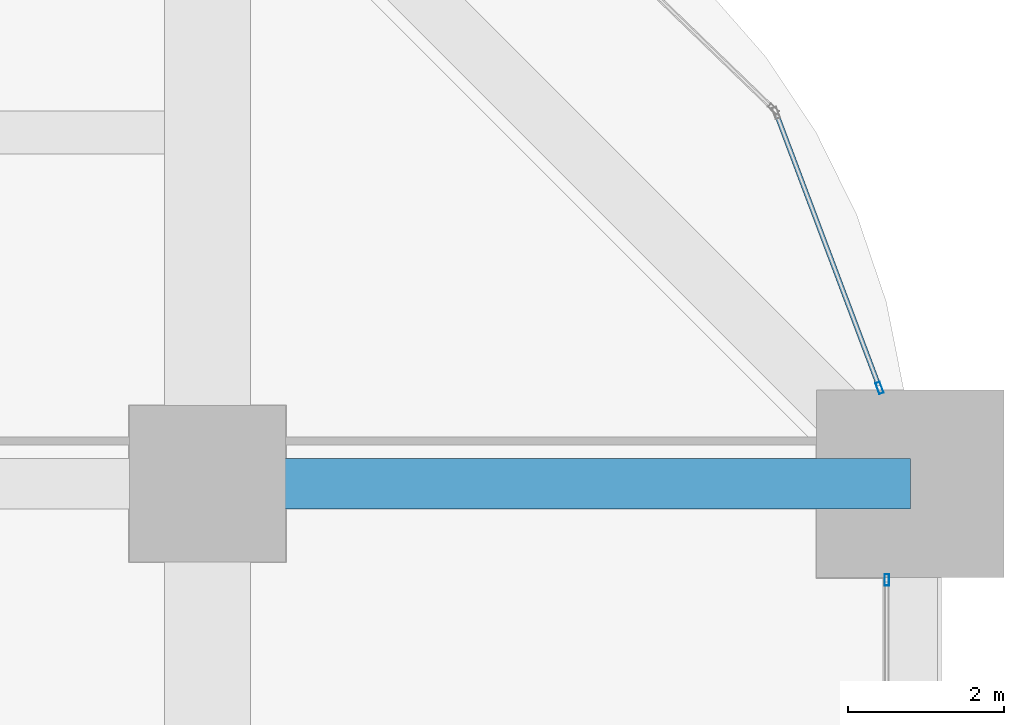
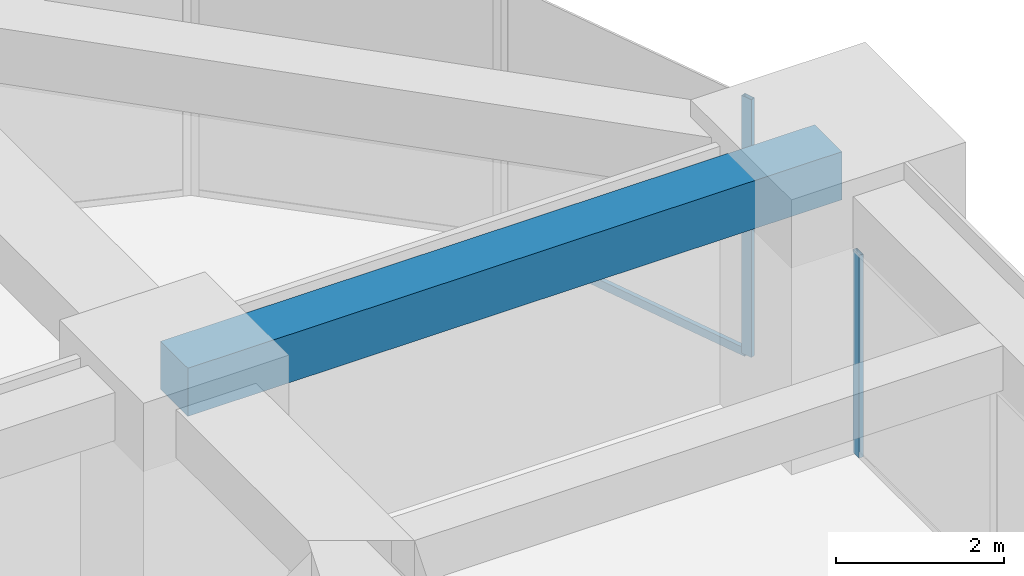
# One storey, part 32 of 39: 3 members, 1 beam, 2 elements without a shape of their own.
"""IFC4 building model written with IfcOpenShell, lengths in metres."""

import ifcopenshell
import ifcopenshell.guid

model = None  # the IFC model being written
_history = None  # IfcOwnerHistory: only IFC2X3 demands one
_inside = {}  # id of a spatial element -> (the spatial element, [elements in it])
_under = {}  # id of a project, library or spatial element -> (it, [spatial elements below it])
_declared = {}  # id of a project -> (the project, [libraries it declares])
_typed = {}  # id of a type object -> (the type object, [elements of that type])
_made_of = {}  # id of a material, layer set ... -> (it, [elements and type objects made of it])


def new_model(schema):
    """Start an empty IFC model of exactly this schema.

    Asked for "IFC4X3", IfcOpenShell would pick the latest addendum, in which some entities
    have other attributes; the version numbers below select the first issue.
    IFC2X3 requires an IfcOwnerHistory on every rooted entity: one is made here for all.
    """
    global model, _history
    if schema == "IFC4X3":
        model = ifcopenshell.file(schema_version=(4, 3, 0, 0))
    else:
        model = ifcopenshell.file(schema=schema)
    _inside.clear()
    _under.clear()
    _declared.clear()
    _typed.clear()
    _made_of.clear()
    _history = None
    if model.schema == "IFC2X3":
        org = make("IfcOrganization", Name="unknown")
        user = make(
            "IfcPersonAndOrganization",
            ThePerson=make("IfcPerson", FamilyName="unknown"),
            TheOrganization=org,
        )
        app = make(
            "IfcApplication",
            ApplicationDeveloper=org,
            Version="unknown",
            ApplicationFullName="unknown",
            ApplicationIdentifier="unknown",
        )
        _history = make(
            "IfcOwnerHistory",
            OwningUser=user,
            OwningApplication=app,
            ChangeAction="ADDED",
            CreationDate=0,
        )
    return model


def make(cls, **values):
    """One entity of the class cls with the attributes given. An attribute that is None is left unset."""
    return model.create_entity(
        cls, **{name: value for name, value in values.items() if value is not None}
    )


def rooted(cls, **values):
    """An entity with a GlobalId (a new one), such as an element, a storey or a relation."""
    return make(cls, GlobalId=ifcopenshell.guid.new(), OwnerHistory=_history, **values)


def si_unit(unit_type, name, prefix=None):
    """IfcSIUnit, for example si_unit("LENGTHUNIT", "METRE", prefix="MILLI")."""
    return make("IfcSIUnit", UnitType=unit_type, Prefix=prefix, Name=name)


def assignment(units):
    """IfcUnitAssignment: the units of a project."""
    return None if units is None else make("IfcUnitAssignment", Units=units)


def point(xyz):
    """IfcCartesianPoint."""
    return None if xyz is None else make("IfcCartesianPoint", Coordinates=xyz)


def direction(xyz):
    """IfcDirection."""
    return None if xyz is None else make("IfcDirection", DirectionRatios=xyz)


def frame(location, z_axis=None, x_axis=None):
    """IfcAxis2Placement3D, a coordinate frame: its origin and axes. An axis left out is left unset."""
    return make(
        "IfcAxis2Placement3D",
        Location=point(location),
        Axis=direction(z_axis),
        RefDirection=direction(x_axis),
    )


def frame_2d(location, x_axis=None):
    """IfcAxis2Placement2D, a coordinate frame in the plane: its origin and x axis."""
    return make(
        "IfcAxis2Placement2D", Location=point(location), RefDirection=direction(x_axis)
    )


def origin():
    """The frame at (0, 0, 0) with its axes left unset."""
    return frame((0.0, 0.0, 0.0))


def origin_2d():
    """The frame at (0, 0) in the plane with its x axis left unset."""
    return frame_2d((0.0, 0.0))


def place(relative_to, where):
    """IfcLocalPlacement: puts the frame where relative to a parent placement (None: the world)."""
    return make(
        "IfcLocalPlacement", PlacementRelTo=relative_to, RelativePlacement=where
    )


def context(
    kind, dimensions, precision=None, world=None, true_north=None, identifier=None
):
    """IfcGeometricRepresentationContext, for example the 3D "Model" context."""
    return make(
        "IfcGeometricRepresentationContext",
        ContextIdentifier=identifier,
        ContextType=kind,
        CoordinateSpaceDimension=dimensions,
        Precision=precision,
        WorldCoordinateSystem=world,
        TrueNorth=true_north,
    )


def subcontext(parent, identifier, kind, view, scale=None):
    """IfcGeometricRepresentationSubContext, for example "Body" below "Model"."""
    return make(
        "IfcGeometricRepresentationSubContext",
        ContextIdentifier=identifier,
        ContextType=kind,
        ParentContext=parent,
        TargetScale=scale,
        TargetView=view,
    )


def project(units=None, contexts=None):
    """IfcProject with its units and contexts."""
    return rooted(
        "IfcProject",
        Name="project",
        RepresentationContexts=contexts,
        UnitsInContext=assignment(units),
    )


def spatial(cls, under=None, at=None, **own):
    """A site, building, storey or space (cls), placed at a placement, below another one or the project."""
    s = rooted(cls, ObjectPlacement=at, **own)
    if under is not None:
        _under.setdefault(under.id(), (under, []))[1].append(s)
    return s


def profile(cls, at=None, kind="AREA", **sizes):
    """A parametric profile (cls). Its sizes go by their IFC names, for example OverallWidth=200.0."""
    return make(cls, ProfileType=kind, Position=at, **sizes)


def rectangle(**sizes):
    """IfcRectangleProfileDef."""
    return profile("IfcRectangleProfileDef", **sizes)


def hollow_rectangle(**sizes):
    """IfcRectangleHollowProfileDef."""
    return profile("IfcRectangleHollowProfileDef", **sizes)


def extrude(swept, where, along, depth):
    """IfcExtrudedAreaSolid: the profile swept, set in the frame where, extruded along a direction by depth."""
    return make(
        "IfcExtrudedAreaSolid",
        SweptArea=swept,
        Position=where,
        ExtrudedDirection=direction(along),
        Depth=depth,
    )


def shape(context_of_items, identifier, shape_type, items):
    """IfcShapeRepresentation: the items that make up one representation, for example the "Body"."""
    return make(
        "IfcShapeRepresentation",
        ContextOfItems=context_of_items,
        RepresentationIdentifier=identifier,
        RepresentationType=shape_type,
        Items=items,
    )


def material(Name=None, Category=None):
    """IfcMaterial."""
    return make("IfcMaterial", Name=Name, Category=Category)


def material_profile(
    of_material, cross_section, Name=None, Category=None, Priority=None
):
    """IfcMaterialProfile: a cross section and its material."""
    return make(
        "IfcMaterialProfile",
        Name=Name,
        Material=of_material,
        Profile=cross_section,
        Priority=Priority,
        Category=Category,
    )


def profile_set(profiles, Name=None, composite=None):
    """IfcMaterialProfileSet."""
    return make(
        "IfcMaterialProfileSet",
        Name=Name,
        MaterialProfiles=profiles,
        CompositeProfile=composite,
    )


def made_of(thing, what):
    """Note that an element or type object is made of a material, layer set ...; save() writes the relation."""
    if what is not None:
        _made_of.setdefault(what.id(), (what, []))[1].append(thing)
    return thing


def type_object(cls, material=None, **own):
    """A type object (cls), such as IfcWallType, which elements share."""
    return made_of(rooted(cls, **own), material)


def element(
    cls,
    number,
    at=None,
    inside=None,
    cuts=None,
    type_object=None,
    material=None,
    context=None,
    identifier="Body",
    shape_type=None,
    held_by="IfcProductDefinitionShape",
    body=None,
    shapes=None,
    **own,
):
    """One element of the class cls, such as IfcWall. Its Tag is "e" and its number.

    at: its placement. inside: the storey or other place that contains it. cuts: it is an
    opening in that element (IfcRelVoidsElement). A single representation is given by context,
    identifier, shape_type and body (its items); several are given by shapes. held_by: the class
    of the entity that holds the representations. save() writes the other relations.
    """
    e = rooted(cls, Tag="e%d" % number, ObjectPlacement=at, **own)
    if body is not None:
        shapes = [shape(context, identifier, shape_type, body)]
    if shapes is not None:
        e.Representation = make(held_by, Representations=shapes)
    if inside is not None:
        _inside.setdefault(inside.id(), (inside, []))[1].append(e)
    if cuts is not None:
        rooted(
            "IfcRelVoidsElement", RelatingBuildingElement=cuts, RelatedOpeningElement=e
        )
    if type_object is not None:
        _typed.setdefault(type_object.id(), (type_object, []))[1].append(e)
    return made_of(e, material)


def aggregate(whole, parts):
    """IfcRelAggregates: a whole, such as a stair, and the parts it consists of."""
    return rooted("IfcRelAggregates", RelatingObject=whole, RelatedObjects=parts)


def save(model, path):
    """Write the relations noted so far, then the file.

    IfcRelAggregates (storeys below a building ...), IfcRelContainedInSpatialStructure (elements
    in a storey), IfcRelDefinesByType, IfcRelAssociatesMaterial and IfcRelDeclares: one each for
    every whole, place, type object, material and project.
    """
    for whole, parts in _under.values():
        aggregate(whole, parts)
    for where, things in _inside.values():
        rooted(
            "IfcRelContainedInSpatialStructure",
            RelatedElements=things,
            RelatingStructure=where,
        )
    for kind, things in _typed.values():
        rooted("IfcRelDefinesByType", RelatedObjects=things, RelatingType=kind)
    for what, things in _made_of.values():
        rooted("IfcRelAssociatesMaterial", RelatedObjects=things, RelatingMaterial=what)
    for by, libraries in _declared.values():
        rooted("IfcRelDeclares", RelatingContext=by, RelatedDefinitions=libraries)
    model.write(path)


model = new_model("IFC4")

# Units and contexts
model_context = context("Model", 3, precision=1e-05, world=origin(), true_north=direction((0.0, 1.0)))
body_context = subcontext(model_context, "Body", "Model", "MODEL_VIEW")
ifc_project = project(units=[si_unit("LENGTHUNIT", "METRE"), si_unit("AREAUNIT", "SQUARE_METRE"), si_unit("VOLUMEUNIT", "CUBIC_METRE"), si_unit("PLANEANGLEUNIT", "RADIAN"), si_unit("MASSUNIT", "GRAM", prefix="KILO")], contexts=[model_context])

# Site, building, storey
site_placement = place(None, origin())
site = spatial("IfcSite", under=ifc_project, at=site_placement, CompositionType="ELEMENT")
building_placement = place(site_placement, origin())
building = spatial("IfcBuilding", under=site, at=building_placement, Name="Zorevar Civic Tower", CompositionType="ELEMENT")
storey_placement = place(building_placement, frame((0.0, 0.0, 117.0)))
storey = spatial("IfcBuildingStorey", under=building, at=storey_placement, Name="L28", CompositionType="ELEMENT", Elevation=117.0)

# Beam
ifc_material_1 = material(Name="Concrete C50/60", Category="concrete")
ifc_material_profile_1 = material_profile(ifc_material_1, rectangle(XDim=0.64990234375, YDim=0.699951171875, at=origin_2d()), Name="RC 650x700")
ifc_profile_set_1 = profile_set([ifc_material_profile_1], Name="Concrete C50/60")
beam_type = type_object("IfcBeamType", Name="Beam RC 650x700", PredefinedType="BEAM", material=ifc_profile_set_1)
beam_placement = place(storey_placement, frame((54.0, 36.0, 3.39990234375), z_axis=(1.0, 0.0, 0.0), x_axis=(0.0, 1.0, 0.0)))
element("IfcBeam", 1, at=beam_placement, inside=storey, type_object=beam_type, Name="Girder L29", PredefinedType="BEAM", context=body_context, shape_type="SweptSolid", body=[
    extrude(rectangle(XDim=0.64990234375, YDim=0.699951171875, at=origin_2d()), origin(), (0.0, 0.0, 1.0), 9.0),
])

# Curtain wall, member
ifc_material_2 = material(Name="Dark grey solar-control glass in black aluminium frame", Category="aluminium")
curtain_wall_type = type_object("IfcCurtainWallType", Name="Curtain wall CW3 mid zone", PredefinedType="NOTDEFINED", material=ifc_material_2)
curtain_wall_1_placement = place(storey_placement, origin())
curtain_wall_1 = element("IfcCurtainWall", 2, at=curtain_wall_1_placement, inside=storey, type_object=curtain_wall_type, Name="CW3 L28", PredefinedType="NOTDEFINED")
ifc_material_3 = material(Name="Aluminium, black anodised", Category="aluminium")
ifc_material_profile_2 = material_profile(ifc_material_3, hollow_rectangle(XDim=0.06005859375, YDim=0.14990234375, WallThickness=0.00390625, at=origin_2d()), Name="AL 150x60x4")
ifc_profile_set_2 = profile_set([ifc_material_profile_2], Name="Aluminium, black anodised")
member_type_1 = type_object("IfcMemberType", Name="CW3 mullion AL 150x60x4", PredefinedType="MULLION", material=ifc_profile_set_2)
member_1_placement = place(storey_placement, frame((62.699951171875, 34.77001953125, 0.0), z_axis=(0.0, 0.0, 1.0), x_axis=(-1.0, 0.0, 0.0)))
member_1 = element("IfcMember", 3, at=member_1_placement, type_object=member_type_1, Name="CW3 mullion 3", PredefinedType="MULLION", context=body_context, shape_type="SweptSolid", body=[
    extrude(hollow_rectangle(XDim=0.06005859375, YDim=0.14990234375, WallThickness=0.00390625, at=origin_2d()), origin(), (0.0, 0.0, 1.0), 2.949951171875),
])
aggregate(curtain_wall_1, [member_1])

# Curtain wall, members
curtain_wall_2_placement = place(storey_placement, origin())
curtain_wall_2 = element("IfcCurtainWall", 4, at=curtain_wall_2_placement, inside=storey, type_object=curtain_wall_type, Name="CW3 L28", PredefinedType="NOTDEFINED")
member_2_placement = place(storey_placement, frame((62.606201171875, 37.22802734375, 0.0), z_axis=(0.0, 0.0, 1.0), x_axis=(-0.935950528564, -0.352131520999, 0.0)))
member_2 = element("IfcMember", 5, at=member_2_placement, type_object=member_type_1, Name="CW3 mullion 1", PredefinedType="MULLION", context=body_context, shape_type="SweptSolid", body=[
    extrude(hollow_rectangle(XDim=0.06005859375, YDim=0.14990234375, WallThickness=0.00390625, at=origin_2d()), origin(), (0.0, 0.0, 1.0), 3.75),
])
ifc_material_4 = material(Name="Aluminium, black anodised", Category="aluminium")
ifc_material_profile_3 = material_profile(ifc_material_4, hollow_rectangle(XDim=0.06005859375, YDim=0.1201171875, WallThickness=0.0029296875, at=origin_2d()), Name="AL 120x60x3")
ifc_profile_set_3 = profile_set([ifc_material_profile_3], Name="Aluminium, black anodised")
member_type_2 = type_object("IfcMemberType", Name="CW3 transom AL 120x60x3", PredefinedType="USERDEFINED", material=ifc_profile_set_3)
member_3_placement = place(storey_placement, frame((62.595703125, 37.256103515625, 0.030029296875), z_axis=(-0.352142207579, 0.935946507895, 0.0), x_axis=(-0.935946507895, -0.352142207579, 0.0)))
member_3 = element("IfcMember", 6, at=member_3_placement, type_object=member_type_2, Name="CW3 sill transom", ObjectType="TRANSOM", PredefinedType="USERDEFINED", context=body_context, shape_type="SweptSolid", body=[
    extrude(hollow_rectangle(XDim=0.06005859375, YDim=0.1201171875, WallThickness=0.0029296875, at=origin_2d()), origin(), (0.0, 0.0, 1.0), 3.7021484375),
])
aggregate(curtain_wall_2, [member_2, member_3])

save(model, "model.ifc")
